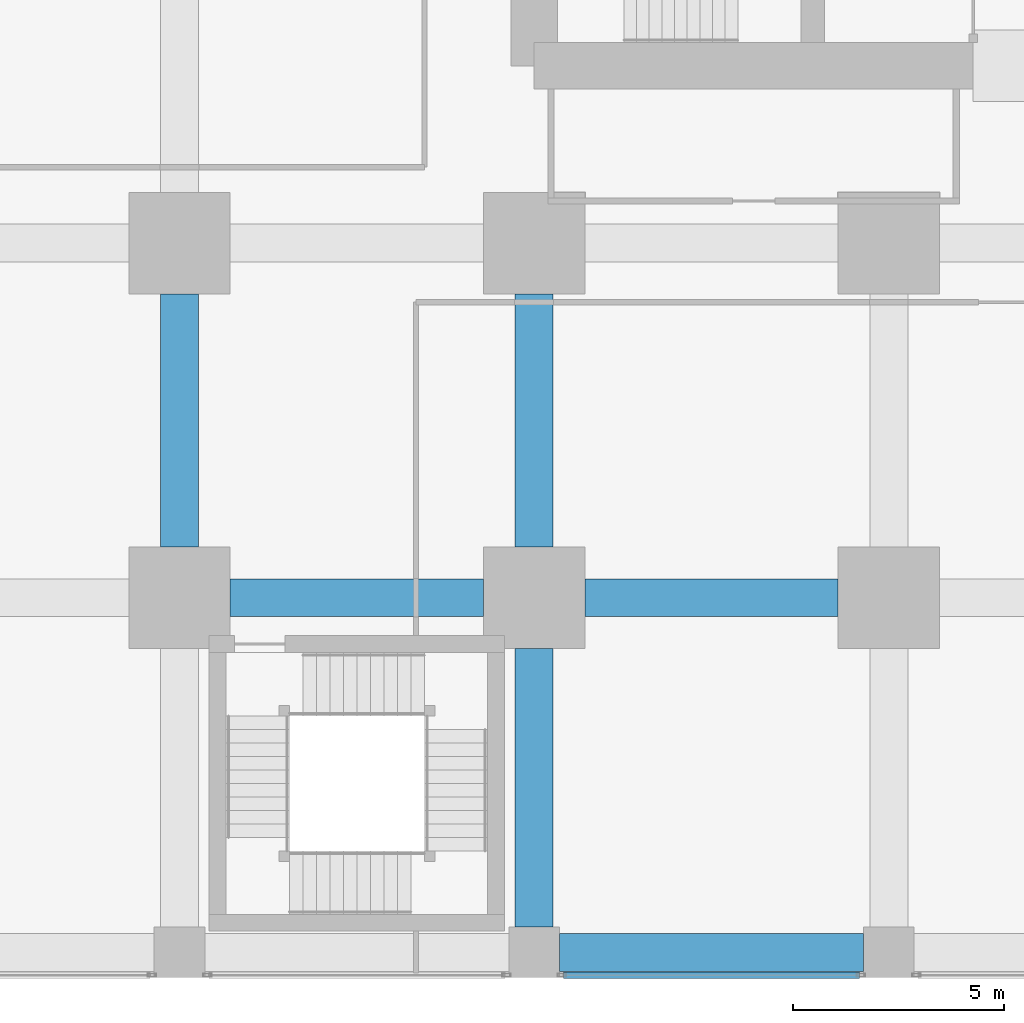
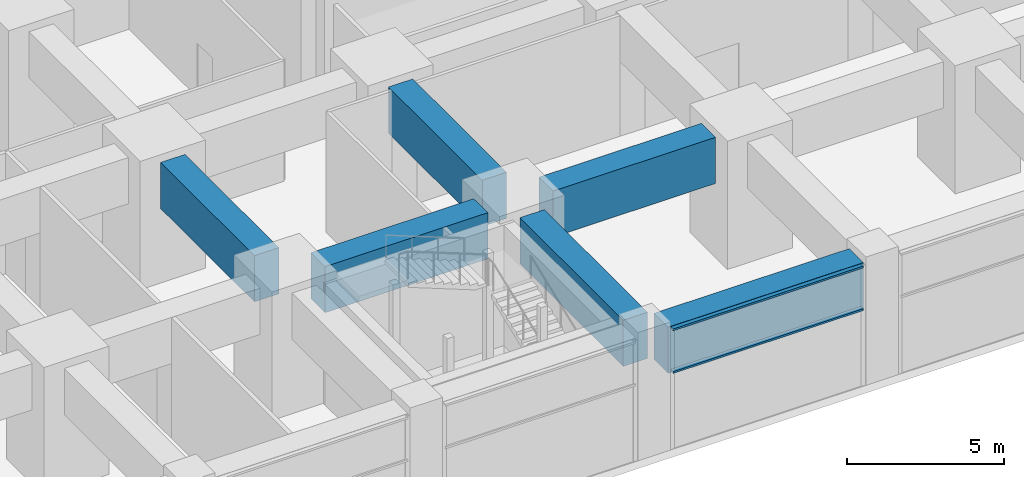
# One storey, part 8 of 49: 6 beams, 2 members, 1 element without a shape of its own.
"""IFC4 building model written with IfcOpenShell, lengths in metres."""

from ifc_helpers import new_model, si_unit, direction, frame, origin, origin_2d, place, context, subcontext, project, spatial, rectangle, hollow_rectangle, extrude, material, material_profile, profile_set, type_object, element, aggregate, save


model = new_model("IFC4")

# Units and contexts
model_context = context("Model", 3, precision=1e-05, world=origin(), true_north=direction((0.0, 1.0)))
body_context = subcontext(model_context, "Body", "Model", "MODEL_VIEW")
ifc_project = project(units=[si_unit("LENGTHUNIT", "METRE"), si_unit("AREAUNIT", "SQUARE_METRE"), si_unit("VOLUMEUNIT", "CUBIC_METRE"), si_unit("PLANEANGLEUNIT", "RADIAN"), si_unit("MASSUNIT", "GRAM", prefix="KILO")], contexts=[model_context])

# Site, building, storey
site_placement = place(None, origin())
site = spatial("IfcSite", under=ifc_project, at=site_placement, CompositionType="ELEMENT")
building_placement = place(site_placement, origin())
building = spatial("IfcBuilding", under=site, at=building_placement, Name="Rekha Terrace Tower", CompositionType="ELEMENT")
storey_placement = place(building_placement, frame((0.0, 0.0, 5.39990234375)))
storey = spatial("IfcBuildingStorey", under=building, at=storey_placement, Name="L01", CompositionType="ELEMENT", Elevation=5.39990234375)

# Curtain wall, members
ifc_material_1 = material(Name="Aluminium framing", Category="aluminium")
curtain_wall_type = type_object("IfcCurtainWallType", Name="CW4 podium shopfront glazing", PredefinedType="USERDEFINED", material=ifc_material_1)
curtain_wall_placement = place(storey_placement, origin())
curtain_wall = element("IfcCurtainWall", 1, at=curtain_wall_placement, inside=storey, type_object=curtain_wall_type, Name="CW4 shopfront curtain wall", ObjectType="SHOPFRONT CURTAIN WALL", PredefinedType="USERDEFINED")
ifc_material_2 = material(Name="Aluminium transom section", Category="aluminium")
ifc_material_profile_1 = material_profile(ifc_material_2, hollow_rectangle(XDim=0.14990234375, YDim=0.074951171875, WallThickness=0.0029296875, at=origin_2d()), Name="AL RHS 150x75")
ifc_profile_set_1 = profile_set([ifc_material_profile_1], Name="Aluminium transom section")
member_type = type_object("IfcMemberType", Name="CW4 transom RHS 75 x 150", PredefinedType="USERDEFINED", material=ifc_profile_set_1)
member_1_placement = place(storey_placement, frame((25.89501953125, -0.5400390625, 3.0), z_axis=(1.0, 0.0, 0.0), x_axis=(0.0, 1.0, 0.0)))
member_1 = element("IfcMember", 2, at=member_1_placement, type_object=member_type, Name="CW4 transom 1.2", ObjectType="TRANSOM", PredefinedType="USERDEFINED", context=body_context, shape_type="SweptSolid", body=[
    extrude(hollow_rectangle(XDim=0.14990234375, YDim=0.074951171875, WallThickness=0.0029296875, at=origin_2d()), origin(), (0.0, 0.0, 1.0), 7.010009765625),
])
member_2_placement = place(storey_placement, frame((25.89501953125, -0.5400390625, 4.66259765625), z_axis=(1.0, 0.0, 0.0), x_axis=(0.0, 1.0, 0.0)))
member_2 = element("IfcMember", 3, at=member_2_placement, type_object=member_type, Name="CW4 transom 1.3", ObjectType="TRANSOM", PredefinedType="USERDEFINED", context=body_context, shape_type="SweptSolid", body=[
    extrude(hollow_rectangle(XDim=0.14990234375, YDim=0.074951171875, WallThickness=0.0029296875, at=origin_2d()), origin(), (0.0, 0.0, 1.0), 7.010009765625),
])
aggregate(curtain_wall, [member_1, member_2])

# Beams
ifc_material_3 = material(Name="Concrete M60", Category="concrete")
ifc_material_profile_2 = material_profile(ifc_material_3, rectangle(XDim=0.89990234375, YDim=1.800048828125, at=origin_2d()), Name="RC 900x1800")
ifc_profile_set_2 = profile_set([ifc_material_profile_2], Name="Concrete M60")
beam_type = type_object("IfcBeamType", Name="G1 900x1800 podium floor beam", PredefinedType="BEAM", material=ifc_profile_set_2)
for number, where, z_axis, x_axis, name in (
    (4, (18.0, 8.39990234375, 3.800048828125), (1.0, 0.0, 0.0), (0.0, 1.0, 0.0), "Beam G1 3B-4B under L02"),
    (5, (16.800048828125, 9.60009765625, 3.800048828125), (0.0, 1.0, 0.0), (-1.0, 0.0, 0.0), "Beam G1 3B-3C under L02"),
):
    element("IfcBeam", number, at=place(storey_placement, frame(where, z_axis=z_axis, x_axis=x_axis)), inside=storey, type_object=beam_type, Name=name, PredefinedType="BEAM", context=body_context, shape_type="SweptSolid", body=[
        extrude(rectangle(XDim=0.89990234375, YDim=1.800048828125, at=origin_2d()), origin(), (0.0, 0.0, 1.0), 6.0),
    ])
beam_1_placement = place(storey_placement, frame((25.800048828125, 0.0, 3.800048828125), z_axis=(1.0, 0.0, 0.0), x_axis=(0.0, 1.0, 0.0)))
element("IfcBeam", 6, at=beam_1_placement, inside=storey, type_object=beam_type, Name="Beam G1 4A-5A under L02", PredefinedType="BEAM", context=body_context, shape_type="SweptSolid", body=[
    extrude(rectangle(XDim=0.89990234375, YDim=1.800048828125, at=origin_2d()), origin(), (0.0, 0.0, 1.0), 7.199951171875),
])
beam_2_placement = place(storey_placement, frame((25.199951171875, 0.60009765625, 3.800048828125), z_axis=(0.0, 1.0, 0.0), x_axis=(-1.0, 0.0, 0.0)))
element("IfcBeam", 7, at=beam_2_placement, inside=storey, type_object=beam_type, Name="Beam G1 4A-4B under L02", PredefinedType="BEAM", context=body_context, shape_type="SweptSolid", body=[
    extrude(rectangle(XDim=0.89990234375, YDim=1.800048828125, at=origin_2d()), origin(), (0.0, 0.0, 1.0), 6.599853515625),
])
for number, where, z_axis, x_axis, name in (
    (8, (26.39990234375, 8.39990234375, 3.800048828125), (1.0, 0.0, 0.0), (0.0, 1.0, 0.0), "Beam G1 4B-5B under L02"),
    (9, (25.199951171875, 9.60009765625, 3.800048828125), (0.0, 1.0, 0.0), (-1.0, 0.0, 0.0), "Beam G1 4B-4C under L02"),
):
    element("IfcBeam", number, at=place(storey_placement, frame(where, z_axis=z_axis, x_axis=x_axis)), inside=storey, type_object=beam_type, Name=name, PredefinedType="BEAM", context=body_context, shape_type="SweptSolid", body=[
        extrude(rectangle(XDim=0.89990234375, YDim=1.800048828125, at=origin_2d()), origin(), (0.0, 0.0, 1.0), 6.0),
    ])

save(model, "model.ifc")
